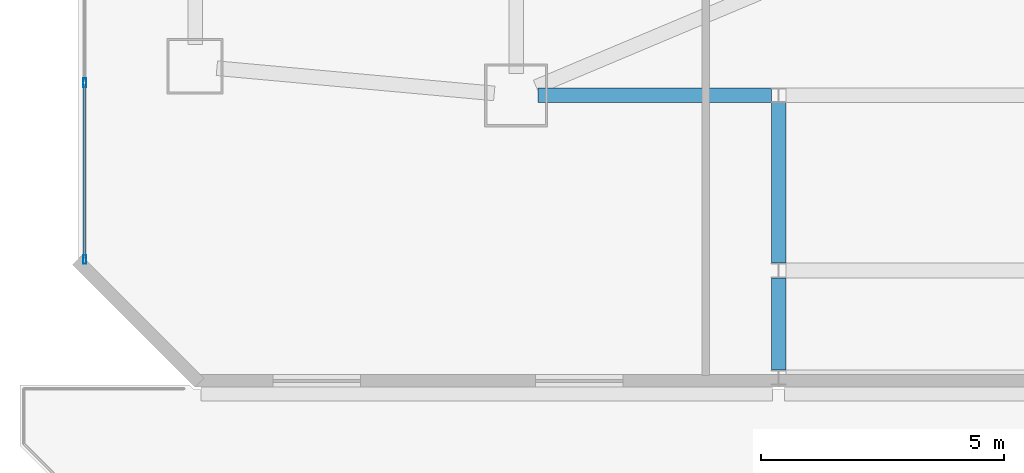
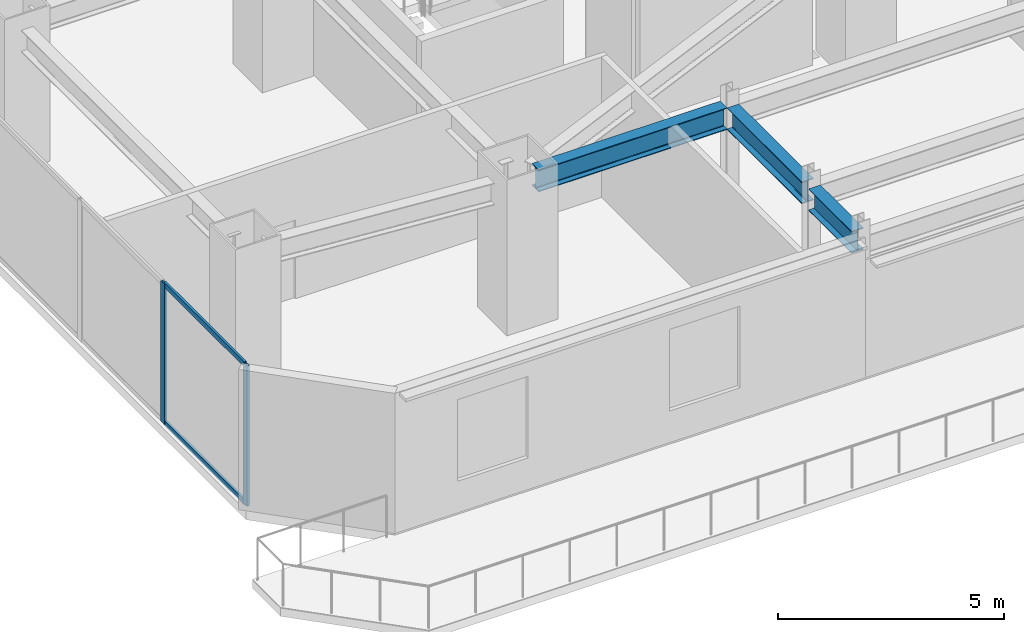
# One storey, part 4 of 32: 4 members, 3 beams, 1 element without a shape of its own.
"""IFC4 building model written with IfcOpenShell, lengths in metres."""

from ifc_helpers import new_model, si_unit, direction, frame, origin, origin_2d, place, context, subcontext, project, spatial, hollow_rectangle, i_section, extrude, material, layer, layer_set, material_profile, profile_set, type_object, element, aggregate, save


model = new_model("IFC4")

# Units and contexts
model_context = context("Model", 3, precision=1e-05, world=origin(), true_north=direction((0.0, 1.0)))
body_context = subcontext(model_context, "Body", "Model", "MODEL_VIEW")
ifc_project = project(units=[si_unit("LENGTHUNIT", "METRE"), si_unit("AREAUNIT", "SQUARE_METRE"), si_unit("VOLUMEUNIT", "CUBIC_METRE"), si_unit("PLANEANGLEUNIT", "RADIAN"), si_unit("MASSUNIT", "GRAM", prefix="KILO")], contexts=[model_context])

# Site, building, storey
site_placement = place(None, origin())
site = spatial("IfcSite", under=ifc_project, at=site_placement, CompositionType="ELEMENT")
building_placement = place(site_placement, origin())
building = spatial("IfcBuilding", under=site, at=building_placement, Name="Haolan Belvedere Tower", CompositionType="ELEMENT")
storey_placement = place(building_placement, frame((0.0, 0.0, 15.60009765625)))
storey = spatial("IfcBuildingStorey", under=building, at=storey_placement, Name="L03", CompositionType="ELEMENT", Elevation=15.60009765625)

# Beams
ifc_material_1 = material(Name="Steel Q355B", Category="steel")
ifc_material_profile_1 = material_profile(ifc_material_1, i_section(OverallWidth=0.300048828125, OverallDepth=0.587890625, WebThickness=0.011962890625, FlangeThickness=0.02001953125, FilletRadius=0.028076171875, at=origin_2d()), Name="Steel Q355B")
ifc_profile_set_1 = profile_set([ifc_material_profile_1], Name="Steel Q355B")
beam_type = type_object("IfcBeamType", Name="BM-HM588x300x12x20", PredefinedType="SPANDREL", material=ifc_profile_set_1)
beam_1_placement = place(storey_placement, frame((18.0, 11.14990234375, 3.48583984375), z_axis=(0.0, 1.0, 0.0), x_axis=(-1.0, 0.0, 0.0)))
element("IfcBeam", 1, at=beam_1_placement, inside=storey, type_object=beam_type, Name="L03 spandrel girder PC-CS2-W-PC-CS3-W", PredefinedType="SPANDREL", context=body_context, shape_type="SweptSolid", body=[
    extrude(i_section(OverallWidth=0.300048828125, OverallDepth=0.587890625, WebThickness=0.011962890625, FlangeThickness=0.02001953125, FilletRadius=0.028076171875, at=origin_2d()), origin(), (0.0, 0.0, 1.0), 1.900146484375),
])
beam_2_placement = place(storey_placement, frame((18.0, 13.35009765625, 3.48583984375), z_axis=(0.0, 1.0, 0.0), x_axis=(-1.0, 0.0, 0.0)))
element("IfcBeam", 2, at=beam_2_placement, inside=storey, type_object=beam_type, Name="L03 spandrel girder PC-CS3-W-PC-CS4-W", PredefinedType="SPANDREL", context=body_context, shape_type="SweptSolid", body=[
    extrude(i_section(OverallWidth=0.300048828125, OverallDepth=0.587890625, WebThickness=0.011962890625, FlangeThickness=0.02001953125, FilletRadius=0.028076171875, at=origin_2d()), origin(), (0.0, 0.0, 1.0), 3.2998046875),
])
beam_3_placement = place(storey_placement, frame((17.85009765625, 16.800048828125, 3.48583984375), z_axis=(-1.0, 0.0, 0.0), x_axis=(0.0, -1.0, 0.0)))
element("IfcBeam", 3, at=beam_3_placement, inside=storey, type_object=beam_type, Name="L03 spandrel girder PC-CS4-W-MC-T2-SW", PredefinedType="SPANDREL", context=body_context, shape_type="SweptSolid", body=[
    extrude(i_section(OverallWidth=0.300048828125, OverallDepth=0.587890625, WebThickness=0.011962890625, FlangeThickness=0.02001953125, FilletRadius=0.028076171875, at=origin_2d()), origin(), (0.0, 0.0, 1.0), 4.800048828125),
])

# Curtain wall, members
ifc_material_2 = material(Name="Anodised champagne-silver aluminium 6063-T6 and Low-E glass", Category="aluminium")
ifc_layer = layer(ifc_material_2, 0.179931640625, Name="Anodised champagne-silver aluminium 6063-T6 and Low-E glass")
ifc_layer_set = layer_set([ifc_layer], Name="Anodised champagne-silver aluminium 6063-T6 and Low-E glass")
curtain_wall_type = type_object("IfcCurtainWallType", Name="CW-SYS-01", PredefinedType="NOTDEFINED", material=ifc_layer_set)
curtain_wall_placement = place(storey_placement, origin())
curtain_wall = element("IfcCurtainWall", 4, at=curtain_wall_placement, inside=storey, type_object=curtain_wall_type, Name="L03 CW-SYS-01 ribbon curtain wall 4.1", PredefinedType="NOTDEFINED")
ifc_material_3 = material(Name="Anodised aluminium 6063-T6", Category="aluminium")
ifc_material_profile_2 = material_profile(ifc_material_3, hollow_rectangle(XDim=0.06494140625, YDim=0.179931640625, WallThickness=0.00390625, at=origin_2d()), Name="Anodised aluminium 6063-T6")
ifc_profile_set_2 = profile_set([ifc_material_profile_2], Name="Anodised aluminium 6063-T6")
member_type_1 = type_object("IfcMemberType", Name="CW-SYS-01-MUL", PredefinedType="MULLION", material=ifc_profile_set_2)
member_1_placement = place(storey_placement, frame((3.72998046875, 17.060791015625, 0.0), z_axis=(0.0, 0.0, 1.0), x_axis=(1.0, 0.0, 0.0)))
member_1 = element("IfcMember", 5, at=member_1_placement, type_object=member_type_1, Name="CW-01 mullion 11", PredefinedType="MULLION", context=body_context, shape_type="SweptSolid", body=[
    extrude(hollow_rectangle(XDim=0.06494140625, YDim=0.179931640625, WallThickness=0.00390625, at=origin_2d()), origin(), (0.0, 0.0, 1.0), 3.77978515625),
])
member_2_placement = place(storey_placement, frame((3.72998046875, 13.42626953125, 0.0), z_axis=(0.0, 0.0, 1.0), x_axis=(1.0, 0.0, 0.0)))
member_2 = element("IfcMember", 6, at=member_2_placement, type_object=member_type_1, Name="CW-01 mullion 12", PredefinedType="MULLION", context=body_context, shape_type="SweptSolid", body=[
    extrude(hollow_rectangle(XDim=0.06494140625, YDim=0.179931640625, WallThickness=0.00390625, at=origin_2d()), origin(), (0.0, 0.0, 1.0), 3.77978515625),
])
ifc_material_profile_3 = material_profile(ifc_material_3, hollow_rectangle(XDim=0.06005859375, YDim=0.139892578125, WallThickness=0.00390625, at=origin_2d()), Name="Anodised aluminium 6063-T6")
ifc_profile_set_3 = profile_set([ifc_material_profile_3], Name="Anodised aluminium 6063-T6")
member_type_2 = type_object("IfcMemberType", Name="CW-SYS-01-TRN", PredefinedType="USERDEFINED", material=ifc_profile_set_3)
member_3_placement = place(storey_placement, frame((3.72998046875, 17.0283203125, 0.02978515625), z_axis=(0.0, -1.0, 0.0), x_axis=(1.0, 0.0, 0.0)))
member_3 = element("IfcMember", 7, at=member_3_placement, type_object=member_type_2, Name="CW-01 transom 11.1", ObjectType="TRANSOM", PredefinedType="USERDEFINED", context=body_context, shape_type="SweptSolid", body=[
    extrude(hollow_rectangle(XDim=0.06005859375, YDim=0.139892578125, WallThickness=0.00390625, at=origin_2d()), origin(), (0.0, 0.0, 1.0), 3.569580078125),
])
member_4_placement = place(storey_placement, frame((3.72998046875, 17.0283203125, 3.75), z_axis=(0.0, -1.0, 0.0), x_axis=(1.0, 0.0, 0.0)))
member_4 = element("IfcMember", 8, at=member_4_placement, type_object=member_type_2, Name="CW-01 transom 11.2", ObjectType="TRANSOM", PredefinedType="USERDEFINED", context=body_context, shape_type="SweptSolid", body=[
    extrude(hollow_rectangle(XDim=0.06005859375, YDim=0.139892578125, WallThickness=0.00390625, at=origin_2d()), origin(), (0.0, 0.0, 1.0), 3.569580078125),
])
aggregate(curtain_wall, [member_1, member_2, member_3, member_4])

save(model, "model.ifc")
